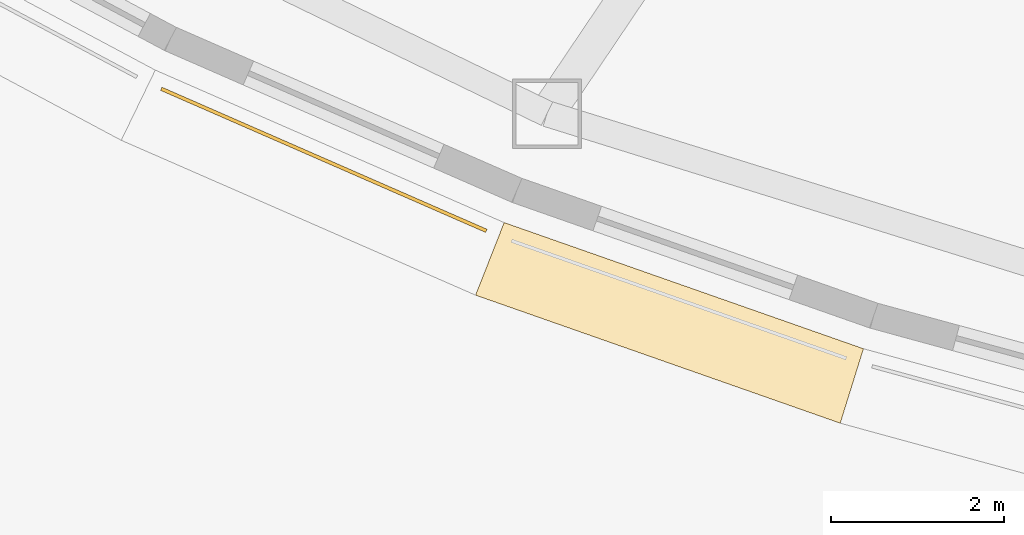
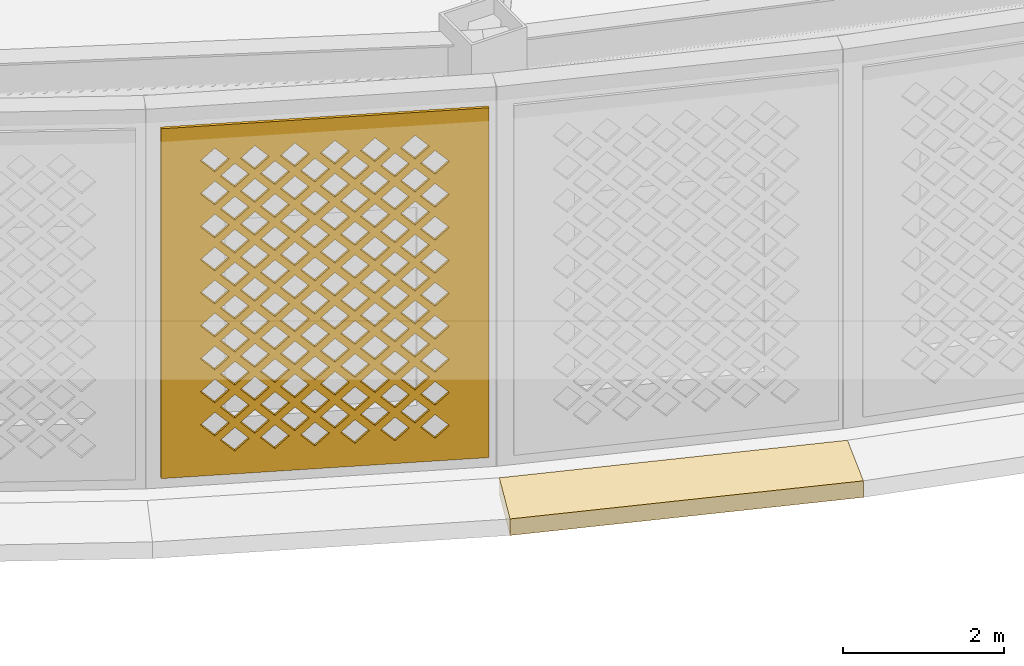
# One storey, part 51 of 74: 2 coverings.
"""IFC4 building model written with IfcOpenShell, lengths in metres."""

from ifc_helpers import new_model, si_unit, direction, frame, origin, place, context, subcontext, project, spatial, polyline, outline, extrude, material, layer, layer_set, type_object, element, save


model = new_model("IFC4")

# Units and contexts
model_context = context("Model", 3, precision=1e-05, world=origin(), true_north=direction((0.0, 1.0)))
body_context = subcontext(model_context, "Body", "Model", "MODEL_VIEW")
ifc_project = project(units=[si_unit("LENGTHUNIT", "METRE"), si_unit("AREAUNIT", "SQUARE_METRE"), si_unit("VOLUMEUNIT", "CUBIC_METRE"), si_unit("PLANEANGLEUNIT", "RADIAN"), si_unit("MASSUNIT", "GRAM", prefix="KILO")], contexts=[model_context])

# Site, building, storey
site_placement = place(None, origin())
site = spatial("IfcSite", under=ifc_project, at=site_placement, CompositionType="ELEMENT")
building_placement = place(site_placement, origin())
building = spatial("IfcBuilding", under=site, at=building_placement, Name="Noorbagh Ring Tower", CompositionType="ELEMENT")
storey_placement = place(building_placement, frame((0.0, 0.0, 7.5)))
storey = spatial("IfcBuildingStorey", under=building, at=storey_placement, Name="L01", CompositionType="ELEMENT", Elevation=7.5)

# Coverings
ifc_material_1 = material(Name="Red sandstone eave", Category="masonry")
covering_type_1 = type_object("IfcCoveringType", Name="STY-CHHAJJA", PredefinedType="USERDEFINED", material=ifc_material_1)
covering_1_placement = place(storey_placement, frame((0.0, 0.0, -0.25)))
element("IfcCovering", 1, at=covering_1_placement, inside=storey, type_object=covering_type_1, Name="Chhajja eave", ObjectType="CHHAJJA", PredefinedType="USERDEFINED", context=body_context, shape_type="SweptSolid", body=[
    extrude(outline(polyline([(-23.647216796875, -35.624755859375), (-19.49853515625, -37.081298828125), (-19.7666015625, -37.941162109375), (-23.976806640625, -36.462890625), (-23.647216796875, -35.624755859375)])), origin(), (0.0, 0.0, 1.0), 0.25),
])
ifc_material_2 = material(Name="Red sandstone jali", Category="masonry")
ifc_layer = layer(ifc_material_2, 0.0400390625)
ifc_layer_set = layer_set([ifc_layer], Name="Red sandstone jali")
covering_type_2 = type_object("IfcCoveringType", Name="STY-JALI", PredefinedType="USERDEFINED", material=ifc_layer_set)
covering_2_placement = place(storey_placement, frame((-27.614501953125, -34.09814453125, 0.449951171875), z_axis=(-0.400468668207, -0.916310452731, 0.0), x_axis=(0.916310452731, -0.400468668207, 0.0)))
element("IfcCovering", 2, at=covering_2_placement, inside=storey, type_object=covering_type_2, Name="Jali screen", ObjectType="SCREEN", PredefinedType="USERDEFINED", context=body_context, shape_type="SweptSolid", body=[
    extrude(outline(polyline([(0.0, 0.0), (4.0966796875, 0.0), (4.0966796875, 5.300048828125), (0.0, 5.300048828125), (0.0, 0.0)]), holes=[polyline([(0.743408203125, 0.52490234375), (0.92333984375, 0.344970703125), (1.103515625, 0.52490234375), (0.92333984375, 0.705078125), (0.743408203125, 0.52490234375)]), polyline([(1.243408203125, 0.52490234375), (1.42333984375, 0.344970703125), (1.603515625, 0.52490234375), (1.42333984375, 0.705078125), (1.243408203125, 0.52490234375)]), polyline([(1.743408203125, 0.52490234375), (1.92333984375, 0.344970703125), (2.103515625, 0.52490234375), (1.92333984375, 0.705078125), (1.743408203125, 0.52490234375)]), polyline([(2.243408203125, 0.52490234375), (2.42333984375, 0.344970703125), (2.603515625, 0.52490234375), (2.42333984375, 0.705078125), (2.243408203125, 0.52490234375)]), polyline([(2.743408203125, 0.52490234375), (2.92333984375, 0.344970703125), (3.103515625, 0.52490234375), (2.92333984375, 0.705078125), (2.743408203125, 0.52490234375)]), polyline([(3.243408203125, 0.52490234375), (3.42333984375, 0.344970703125), (3.603515625, 0.52490234375), (3.42333984375, 0.705078125), (3.243408203125, 0.52490234375)]), polyline([(0.493408203125, 0.77490234375), (0.67333984375, 0.594970703125), (0.853515625, 0.77490234375), (0.67333984375, 0.955078125), (0.493408203125, 0.77490234375)]), polyline([(0.993408203125, 0.77490234375), (1.17333984375, 0.594970703125), (1.353515625, 0.77490234375), (1.17333984375, 0.955078125), (0.993408203125, 0.77490234375)]), polyline([(1.493408203125, 0.77490234375), (1.67333984375, 0.594970703125), (1.853515625, 0.77490234375), (1.67333984375, 0.955078125), (1.493408203125, 0.77490234375)]), polyline([(1.993408203125, 0.77490234375), (2.17333984375, 0.594970703125), (2.353515625, 0.77490234375), (2.17333984375, 0.955078125), (1.993408203125, 0.77490234375)]), polyline([(2.493408203125, 0.77490234375), (2.67333984375, 0.594970703125), (2.853515625, 0.77490234375), (2.67333984375, 0.955078125), (2.493408203125, 0.77490234375)]), polyline([(2.993408203125, 0.77490234375), (3.17333984375, 0.594970703125), (3.353515625, 0.77490234375), (3.17333984375, 0.955078125), (2.993408203125, 0.77490234375)]), polyline([(0.743408203125, 1.02490234375), (0.92333984375, 0.844970703125), (1.103515625, 1.02490234375), (0.92333984375, 1.205078125), (0.743408203125, 1.02490234375)]), polyline([(1.243408203125, 1.02490234375), (1.42333984375, 0.844970703125), (1.603515625, 1.02490234375), (1.42333984375, 1.205078125), (1.243408203125, 1.02490234375)]), polyline([(1.743408203125, 1.02490234375), (1.92333984375, 0.844970703125), (2.103515625, 1.02490234375), (1.92333984375, 1.205078125), (1.743408203125, 1.02490234375)]), polyline([(2.243408203125, 1.02490234375), (2.42333984375, 0.844970703125), (2.603515625, 1.02490234375), (2.42333984375, 1.205078125), (2.243408203125, 1.02490234375)]), polyline([(2.743408203125, 1.02490234375), (2.92333984375, 0.844970703125), (3.103515625, 1.02490234375), (2.92333984375, 1.205078125), (2.743408203125, 1.02490234375)]), polyline([(3.243408203125, 1.02490234375), (3.42333984375, 0.844970703125), (3.603515625, 1.02490234375), (3.42333984375, 1.205078125), (3.243408203125, 1.02490234375)]), polyline([(0.493408203125, 1.27490234375), (0.67333984375, 1.094970703125), (0.853515625, 1.27490234375), (0.67333984375, 1.455078125), (0.493408203125, 1.27490234375)]), polyline([(0.993408203125, 1.27490234375), (1.17333984375, 1.094970703125), (1.353515625, 1.27490234375), (1.17333984375, 1.455078125), (0.993408203125, 1.27490234375)]), polyline([(1.493408203125, 1.27490234375), (1.67333984375, 1.094970703125), (1.853515625, 1.27490234375), (1.67333984375, 1.455078125), (1.493408203125, 1.27490234375)]), polyline([(1.993408203125, 1.27490234375), (2.17333984375, 1.094970703125), (2.353515625, 1.27490234375), (2.17333984375, 1.455078125), (1.993408203125, 1.27490234375)]), polyline([(2.493408203125, 1.27490234375), (2.67333984375, 1.094970703125), (2.853515625, 1.27490234375), (2.67333984375, 1.455078125), (2.493408203125, 1.27490234375)]), polyline([(2.993408203125, 1.27490234375), (3.17333984375, 1.094970703125), (3.353515625, 1.27490234375), (3.17333984375, 1.455078125), (2.993408203125, 1.27490234375)]), polyline([(0.743408203125, 1.52490234375), (0.92333984375, 1.344970703125), (1.103515625, 1.52490234375), (0.92333984375, 1.705078125), (0.743408203125, 1.52490234375)]), polyline([(1.243408203125, 1.52490234375), (1.42333984375, 1.344970703125), (1.603515625, 1.52490234375), (1.42333984375, 1.705078125), (1.243408203125, 1.52490234375)]), polyline([(1.743408203125, 1.52490234375), (1.92333984375, 1.344970703125), (2.103515625, 1.52490234375), (1.92333984375, 1.705078125), (1.743408203125, 1.52490234375)]), polyline([(2.243408203125, 1.52490234375), (2.42333984375, 1.344970703125), (2.603515625, 1.52490234375), (2.42333984375, 1.705078125), (2.243408203125, 1.52490234375)]), polyline([(2.743408203125, 1.52490234375), (2.92333984375, 1.344970703125), (3.103515625, 1.52490234375), (2.92333984375, 1.705078125), (2.743408203125, 1.52490234375)]), polyline([(3.243408203125, 1.52490234375), (3.42333984375, 1.344970703125), (3.603515625, 1.52490234375), (3.42333984375, 1.705078125), (3.243408203125, 1.52490234375)]), polyline([(0.493408203125, 1.77490234375), (0.67333984375, 1.594970703125), (0.853515625, 1.77490234375), (0.67333984375, 1.955078125), (0.493408203125, 1.77490234375)]), polyline([(0.993408203125, 1.77490234375), (1.17333984375, 1.594970703125), (1.353515625, 1.77490234375), (1.17333984375, 1.955078125), (0.993408203125, 1.77490234375)]), polyline([(1.493408203125, 1.77490234375), (1.67333984375, 1.594970703125), (1.853515625, 1.77490234375), (1.67333984375, 1.955078125), (1.493408203125, 1.77490234375)]), polyline([(1.993408203125, 1.77490234375), (2.17333984375, 1.594970703125), (2.353515625, 1.77490234375), (2.17333984375, 1.955078125), (1.993408203125, 1.77490234375)]), polyline([(2.493408203125, 1.77490234375), (2.67333984375, 1.594970703125), (2.853515625, 1.77490234375), (2.67333984375, 1.955078125), (2.493408203125, 1.77490234375)]), polyline([(2.993408203125, 1.77490234375), (3.17333984375, 1.594970703125), (3.353515625, 1.77490234375), (3.17333984375, 1.955078125), (2.993408203125, 1.77490234375)]), polyline([(0.743408203125, 2.02490234375), (0.92333984375, 1.844970703125), (1.103515625, 2.02490234375), (0.92333984375, 2.205078125), (0.743408203125, 2.02490234375)]), polyline([(1.243408203125, 2.02490234375), (1.42333984375, 1.844970703125), (1.603515625, 2.02490234375), (1.42333984375, 2.205078125), (1.243408203125, 2.02490234375)]), polyline([(1.743408203125, 2.02490234375), (1.92333984375, 1.844970703125), (2.103515625, 2.02490234375), (1.92333984375, 2.205078125), (1.743408203125, 2.02490234375)]), polyline([(2.243408203125, 2.02490234375), (2.42333984375, 1.844970703125), (2.603515625, 2.02490234375), (2.42333984375, 2.205078125), (2.243408203125, 2.02490234375)]), polyline([(2.743408203125, 2.02490234375), (2.92333984375, 1.844970703125), (3.103515625, 2.02490234375), (2.92333984375, 2.205078125), (2.743408203125, 2.02490234375)]), polyline([(3.243408203125, 2.02490234375), (3.42333984375, 1.844970703125), (3.603515625, 2.02490234375), (3.42333984375, 2.205078125), (3.243408203125, 2.02490234375)]), polyline([(0.493408203125, 2.27490234375), (0.67333984375, 2.094970703125), (0.853515625, 2.27490234375), (0.67333984375, 2.455078125), (0.493408203125, 2.27490234375)]), polyline([(0.993408203125, 2.27490234375), (1.17333984375, 2.094970703125), (1.353515625, 2.27490234375), (1.17333984375, 2.455078125), (0.993408203125, 2.27490234375)]), polyline([(1.493408203125, 2.27490234375), (1.67333984375, 2.094970703125), (1.853515625, 2.27490234375), (1.67333984375, 2.455078125), (1.493408203125, 2.27490234375)]), polyline([(1.993408203125, 2.27490234375), (2.17333984375, 2.094970703125), (2.353515625, 2.27490234375), (2.17333984375, 2.455078125), (1.993408203125, 2.27490234375)]), polyline([(2.493408203125, 2.27490234375), (2.67333984375, 2.094970703125), (2.853515625, 2.27490234375), (2.67333984375, 2.455078125), (2.493408203125, 2.27490234375)]), polyline([(2.993408203125, 2.27490234375), (3.17333984375, 2.094970703125), (3.353515625, 2.27490234375), (3.17333984375, 2.455078125), (2.993408203125, 2.27490234375)]), polyline([(0.743408203125, 2.52490234375), (0.92333984375, 2.344970703125), (1.103515625, 2.52490234375), (0.92333984375, 2.705078125), (0.743408203125, 2.52490234375)]), polyline([(1.243408203125, 2.52490234375), (1.42333984375, 2.344970703125), (1.603515625, 2.52490234375), (1.42333984375, 2.705078125), (1.243408203125, 2.52490234375)]), polyline([(1.743408203125, 2.52490234375), (1.92333984375, 2.344970703125), (2.103515625, 2.52490234375), (1.92333984375, 2.705078125), (1.743408203125, 2.52490234375)]), polyline([(2.243408203125, 2.52490234375), (2.42333984375, 2.344970703125), (2.603515625, 2.52490234375), (2.42333984375, 2.705078125), (2.243408203125, 2.52490234375)]), polyline([(2.743408203125, 2.52490234375), (2.92333984375, 2.344970703125), (3.103515625, 2.52490234375), (2.92333984375, 2.705078125), (2.743408203125, 2.52490234375)]), polyline([(3.243408203125, 2.52490234375), (3.42333984375, 2.344970703125), (3.603515625, 2.52490234375), (3.42333984375, 2.705078125), (3.243408203125, 2.52490234375)]), polyline([(0.493408203125, 2.77490234375), (0.67333984375, 2.594970703125), (0.853515625, 2.77490234375), (0.67333984375, 2.955078125), (0.493408203125, 2.77490234375)]), polyline([(0.993408203125, 2.77490234375), (1.17333984375, 2.594970703125), (1.353515625, 2.77490234375), (1.17333984375, 2.955078125), (0.993408203125, 2.77490234375)]), polyline([(1.493408203125, 2.77490234375), (1.67333984375, 2.594970703125), (1.853515625, 2.77490234375), (1.67333984375, 2.955078125), (1.493408203125, 2.77490234375)]), polyline([(1.993408203125, 2.77490234375), (2.17333984375, 2.594970703125), (2.353515625, 2.77490234375), (2.17333984375, 2.955078125), (1.993408203125, 2.77490234375)]), polyline([(2.493408203125, 2.77490234375), (2.67333984375, 2.594970703125), (2.853515625, 2.77490234375), (2.67333984375, 2.955078125), (2.493408203125, 2.77490234375)]), polyline([(2.993408203125, 2.77490234375), (3.17333984375, 2.594970703125), (3.353515625, 2.77490234375), (3.17333984375, 2.955078125), (2.993408203125, 2.77490234375)]), polyline([(0.743408203125, 3.02490234375), (0.92333984375, 2.844970703125), (1.103515625, 3.02490234375), (0.92333984375, 3.205078125), (0.743408203125, 3.02490234375)]), polyline([(1.243408203125, 3.02490234375), (1.42333984375, 2.844970703125), (1.603515625, 3.02490234375), (1.42333984375, 3.205078125), (1.243408203125, 3.02490234375)]), polyline([(1.743408203125, 3.02490234375), (1.92333984375, 2.844970703125), (2.103515625, 3.02490234375), (1.92333984375, 3.205078125), (1.743408203125, 3.02490234375)]), polyline([(2.243408203125, 3.02490234375), (2.42333984375, 2.844970703125), (2.603515625, 3.02490234375), (2.42333984375, 3.205078125), (2.243408203125, 3.02490234375)]), polyline([(2.743408203125, 3.02490234375), (2.92333984375, 2.844970703125), (3.103515625, 3.02490234375), (2.92333984375, 3.205078125), (2.743408203125, 3.02490234375)]), polyline([(3.243408203125, 3.02490234375), (3.42333984375, 2.844970703125), (3.603515625, 3.02490234375), (3.42333984375, 3.205078125), (3.243408203125, 3.02490234375)]), polyline([(0.493408203125, 3.27490234375), (0.67333984375, 3.094970703125), (0.853515625, 3.27490234375), (0.67333984375, 3.455078125), (0.493408203125, 3.27490234375)]), polyline([(0.993408203125, 3.27490234375), (1.17333984375, 3.094970703125), (1.353515625, 3.27490234375), (1.17333984375, 3.455078125), (0.993408203125, 3.27490234375)]), polyline([(1.493408203125, 3.27490234375), (1.67333984375, 3.094970703125), (1.853515625, 3.27490234375), (1.67333984375, 3.455078125), (1.493408203125, 3.27490234375)]), polyline([(1.993408203125, 3.27490234375), (2.17333984375, 3.094970703125), (2.353515625, 3.27490234375), (2.17333984375, 3.455078125), (1.993408203125, 3.27490234375)]), polyline([(2.493408203125, 3.27490234375), (2.67333984375, 3.094970703125), (2.853515625, 3.27490234375), (2.67333984375, 3.455078125), (2.493408203125, 3.27490234375)]), polyline([(2.993408203125, 3.27490234375), (3.17333984375, 3.094970703125), (3.353515625, 3.27490234375), (3.17333984375, 3.455078125), (2.993408203125, 3.27490234375)]), polyline([(0.743408203125, 3.52490234375), (0.92333984375, 3.344970703125), (1.103515625, 3.52490234375), (0.92333984375, 3.705078125), (0.743408203125, 3.52490234375)]), polyline([(1.243408203125, 3.52490234375), (1.42333984375, 3.344970703125), (1.603515625, 3.52490234375), (1.42333984375, 3.705078125), (1.243408203125, 3.52490234375)]), polyline([(1.743408203125, 3.52490234375), (1.92333984375, 3.344970703125), (2.103515625, 3.52490234375), (1.92333984375, 3.705078125), (1.743408203125, 3.52490234375)]), polyline([(2.243408203125, 3.52490234375), (2.42333984375, 3.344970703125), (2.603515625, 3.52490234375), (2.42333984375, 3.705078125), (2.243408203125, 3.52490234375)]), polyline([(2.743408203125, 3.52490234375), (2.92333984375, 3.344970703125), (3.103515625, 3.52490234375), (2.92333984375, 3.705078125), (2.743408203125, 3.52490234375)]), polyline([(3.243408203125, 3.52490234375), (3.42333984375, 3.344970703125), (3.603515625, 3.52490234375), (3.42333984375, 3.705078125), (3.243408203125, 3.52490234375)]), polyline([(0.493408203125, 3.77490234375), (0.67333984375, 3.594970703125), (0.853515625, 3.77490234375), (0.67333984375, 3.955078125), (0.493408203125, 3.77490234375)]), polyline([(0.993408203125, 3.77490234375), (1.17333984375, 3.594970703125), (1.353515625, 3.77490234375), (1.17333984375, 3.955078125), (0.993408203125, 3.77490234375)]), polyline([(1.493408203125, 3.77490234375), (1.67333984375, 3.594970703125), (1.853515625, 3.77490234375), (1.67333984375, 3.955078125), (1.493408203125, 3.77490234375)]), polyline([(1.993408203125, 3.77490234375), (2.17333984375, 3.594970703125), (2.353515625, 3.77490234375), (2.17333984375, 3.955078125), (1.993408203125, 3.77490234375)]), polyline([(2.493408203125, 3.77490234375), (2.67333984375, 3.594970703125), (2.853515625, 3.77490234375), (2.67333984375, 3.955078125), (2.493408203125, 3.77490234375)]), polyline([(2.993408203125, 3.77490234375), (3.17333984375, 3.594970703125), (3.353515625, 3.77490234375), (3.17333984375, 3.955078125), (2.993408203125, 3.77490234375)]), polyline([(0.743408203125, 4.02490234375), (0.92333984375, 3.844970703125), (1.103515625, 4.02490234375), (0.92333984375, 4.205078125), (0.743408203125, 4.02490234375)]), polyline([(1.243408203125, 4.02490234375), (1.42333984375, 3.844970703125), (1.603515625, 4.02490234375), (1.42333984375, 4.205078125), (1.243408203125, 4.02490234375)]), polyline([(1.743408203125, 4.02490234375), (1.92333984375, 3.844970703125), (2.103515625, 4.02490234375), (1.92333984375, 4.205078125), (1.743408203125, 4.02490234375)]), polyline([(2.243408203125, 4.02490234375), (2.42333984375, 3.844970703125), (2.603515625, 4.02490234375), (2.42333984375, 4.205078125), (2.243408203125, 4.02490234375)]), polyline([(2.743408203125, 4.02490234375), (2.92333984375, 3.844970703125), (3.103515625, 4.02490234375), (2.92333984375, 4.205078125), (2.743408203125, 4.02490234375)]), polyline([(3.243408203125, 4.02490234375), (3.42333984375, 3.844970703125), (3.603515625, 4.02490234375), (3.42333984375, 4.205078125), (3.243408203125, 4.02490234375)]), polyline([(0.493408203125, 4.27490234375), (0.67333984375, 4.094970703125), (0.853515625, 4.27490234375), (0.67333984375, 4.455078125), (0.493408203125, 4.27490234375)]), polyline([(0.993408203125, 4.27490234375), (1.17333984375, 4.094970703125), (1.353515625, 4.27490234375), (1.17333984375, 4.455078125), (0.993408203125, 4.27490234375)]), polyline([(1.493408203125, 4.27490234375), (1.67333984375, 4.094970703125), (1.853515625, 4.27490234375), (1.67333984375, 4.455078125), (1.493408203125, 4.27490234375)]), polyline([(1.993408203125, 4.27490234375), (2.17333984375, 4.094970703125), (2.353515625, 4.27490234375), (2.17333984375, 4.455078125), (1.993408203125, 4.27490234375)]), polyline([(2.493408203125, 4.27490234375), (2.67333984375, 4.094970703125), (2.853515625, 4.27490234375), (2.67333984375, 4.455078125), (2.493408203125, 4.27490234375)]), polyline([(2.993408203125, 4.27490234375), (3.17333984375, 4.094970703125), (3.353515625, 4.27490234375), (3.17333984375, 4.455078125), (2.993408203125, 4.27490234375)]), polyline([(0.743408203125, 4.52490234375), (0.92333984375, 4.344970703125), (1.103515625, 4.52490234375), (0.92333984375, 4.705078125), (0.743408203125, 4.52490234375)]), polyline([(1.243408203125, 4.52490234375), (1.42333984375, 4.344970703125), (1.603515625, 4.52490234375), (1.42333984375, 4.705078125), (1.243408203125, 4.52490234375)]), polyline([(1.743408203125, 4.52490234375), (1.92333984375, 4.344970703125), (2.103515625, 4.52490234375), (1.92333984375, 4.705078125), (1.743408203125, 4.52490234375)]), polyline([(2.243408203125, 4.52490234375), (2.42333984375, 4.344970703125), (2.603515625, 4.52490234375), (2.42333984375, 4.705078125), (2.243408203125, 4.52490234375)]), polyline([(2.743408203125, 4.52490234375), (2.92333984375, 4.344970703125), (3.103515625, 4.52490234375), (2.92333984375, 4.705078125), (2.743408203125, 4.52490234375)]), polyline([(3.243408203125, 4.52490234375), (3.42333984375, 4.344970703125), (3.603515625, 4.52490234375), (3.42333984375, 4.705078125), (3.243408203125, 4.52490234375)]), polyline([(0.493408203125, 4.77490234375), (0.67333984375, 4.594970703125), (0.853515625, 4.77490234375), (0.67333984375, 4.955078125), (0.493408203125, 4.77490234375)]), polyline([(0.993408203125, 4.77490234375), (1.17333984375, 4.594970703125), (1.353515625, 4.77490234375), (1.17333984375, 4.955078125), (0.993408203125, 4.77490234375)]), polyline([(1.493408203125, 4.77490234375), (1.67333984375, 4.594970703125), (1.853515625, 4.77490234375), (1.67333984375, 4.955078125), (1.493408203125, 4.77490234375)]), polyline([(1.993408203125, 4.77490234375), (2.17333984375, 4.594970703125), (2.353515625, 4.77490234375), (2.17333984375, 4.955078125), (1.993408203125, 4.77490234375)]), polyline([(2.493408203125, 4.77490234375), (2.67333984375, 4.594970703125), (2.853515625, 4.77490234375), (2.67333984375, 4.955078125), (2.493408203125, 4.77490234375)]), polyline([(2.993408203125, 4.77490234375), (3.17333984375, 4.594970703125), (3.353515625, 4.77490234375), (3.17333984375, 4.955078125), (2.993408203125, 4.77490234375)])]), origin(), (0.0, 0.0, -1.0), 0.0400390625),
])

save(model, "model.ifc")
